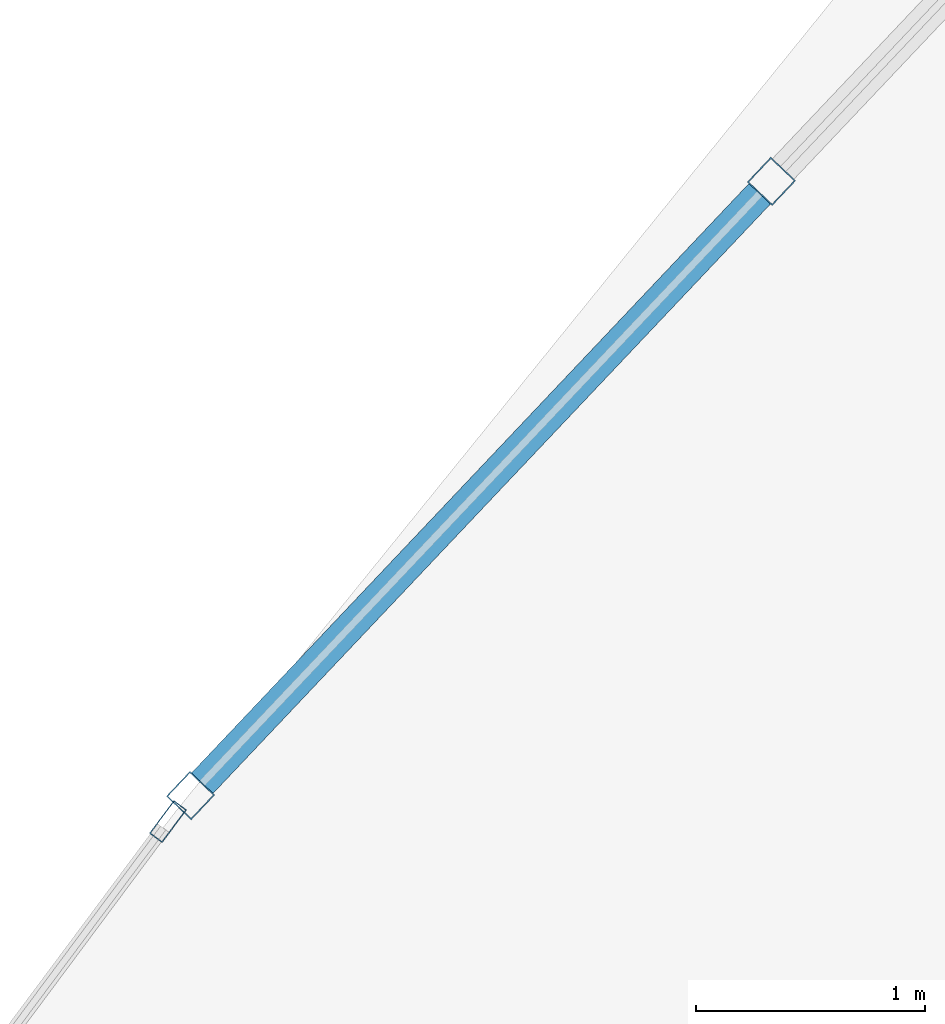
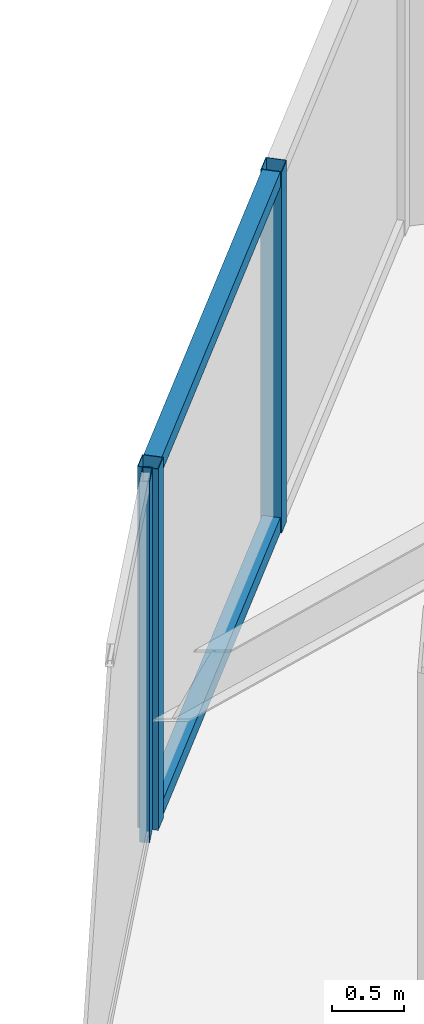
# One storey, part 19 of 31: 5 members, 2 elements without a shape of their own.
"""IFC4 building model written with IfcOpenShell, lengths in metres."""

from ifc_helpers import new_model, si_unit, direction, frame, origin, origin_2d, place, context, subcontext, project, spatial, hollow_rectangle, extrude, material, layer, layer_set, material_profile, profile_set, type_object, element, aggregate, save


model = new_model("IFC4")

# Units and contexts
model_context = context("Model", 3, precision=1e-05, world=origin(), true_north=direction((0.0, 1.0)))
body_context = subcontext(model_context, "Body", "Model", "MODEL_VIEW")
ifc_project = project(units=[si_unit("LENGTHUNIT", "METRE"), si_unit("AREAUNIT", "SQUARE_METRE"), si_unit("VOLUMEUNIT", "CUBIC_METRE"), si_unit("PLANEANGLEUNIT", "RADIAN"), si_unit("MASSUNIT", "GRAM", prefix="KILO")], contexts=[model_context])

# Site, building, storey
site_placement = place(None, origin())
site = spatial("IfcSite", under=ifc_project, at=site_placement, CompositionType="ELEMENT")
building_placement = place(site_placement, origin())
building = spatial("IfcBuilding", under=site, at=building_placement, Name="Orvanel Arch Residences", CompositionType="ELEMENT")
storey_placement = place(building_placement, frame((0.0, 0.0, 113.300048828125)))
storey = spatial("IfcBuildingStorey", under=building, at=storey_placement, Name="L31", CompositionType="ELEMENT", Elevation=113.300048828125)

# Curtain wall, members
ifc_material = material(Name="Bronze-anodised aluminium AA6063-T6", Category="aluminium")
ifc_layer_1 = layer(ifc_material, 0.18994140625)
ifc_layer_set_1 = layer_set([ifc_layer_1], Name="Bronze-anodised aluminium AA6063-T6")
curtain_wall_type_1 = type_object("IfcCurtainWallType", Name="CW5-CRN-SYS", PredefinedType="NOTDEFINED", material=ifc_layer_set_1)
curtain_wall_1_placement = place(storey_placement, origin())
curtain_wall_1 = element("IfcCurtainWall", 1, at=curtain_wall_1_placement, inside=storey, type_object=curtain_wall_type_1, Name="L31 CW5-CRN-SYS Unitised Curtain Wall", PredefinedType="NOTDEFINED")
ifc_material_profile_1 = material_profile(ifc_material, hollow_rectangle(XDim=0.14990234375, YDim=0.14990234375, WallThickness=0.0048828125, at=origin_2d()), Name="ALU150x150x5")
ifc_profile_set_1 = profile_set([ifc_material_profile_1], Name="Bronze-anodised aluminium AA6063-T6")
member_type_1 = type_object("IfcMemberType", Name="MUL-150x150", PredefinedType="MULLION", material=ifc_profile_set_1)
member_1_placement = place(storey_placement, frame((29.638916015625, 46.780517578125, 0.0), z_axis=(0.0, 0.0, 1.0), x_axis=(0.7265167041, -0.687148803873, 0.0)))
member_1 = element("IfcMember", 2, at=member_1_placement, type_object=member_type_1, Name="CW-S5 mullion 2", PredefinedType="MULLION", context=body_context, shape_type="SweptSolid", body=[
    extrude(hollow_rectangle(XDim=0.14990234375, YDim=0.14990234375, WallThickness=0.0048828125, at=origin_2d()), origin(), (0.0, 0.0, 1.0), 3.06005859375),
])
member_2_placement = place(storey_placement, frame((27.0986328125, 44.094482421875, 0.0), z_axis=(0.0, 0.0, 1.0), x_axis=(0.7265167041, -0.687148803873, 0.0)))
member_2 = element("IfcMember", 3, at=member_2_placement, type_object=member_type_1, Name="CW-S5 mullion 3", PredefinedType="MULLION", context=body_context, shape_type="SweptSolid", body=[
    extrude(hollow_rectangle(XDim=0.14990234375, YDim=0.14990234375, WallThickness=0.0048828125, at=origin_2d()), origin(), (0.0, 0.0, 1.0), 3.06005859375),
])

# Curtain wall, member
ifc_layer_2 = layer(ifc_material, 0.179931640625)
ifc_layer_set_2 = layer_set([ifc_layer_2], Name="Bronze-anodised aluminium AA6063-T6")
curtain_wall_type_2 = type_object("IfcCurtainWallType", Name="CW3-MID-SYS", PredefinedType="NOTDEFINED", material=ifc_layer_set_2)
curtain_wall_2_placement = place(storey_placement, origin())
curtain_wall_2 = element("IfcCurtainWall", 4, at=curtain_wall_2_placement, inside=storey, type_object=curtain_wall_type_2, Name="L31 CW3-MID-SYS Unitised Curtain Wall", PredefinedType="NOTDEFINED")
ifc_material_profile_2 = material_profile(ifc_material, hollow_rectangle(XDim=0.070068359375, YDim=0.179931640625, WallThickness=0.00439453125, at=origin_2d()), Name="ALU180x70x4.5")
ifc_profile_set_2 = profile_set([ifc_material_profile_2], Name="Bronze-anodised aluminium AA6063-T6")
member_type_2 = type_object("IfcMemberType", Name="MUL-180x70", PredefinedType="MULLION", material=ifc_profile_set_2)
member_3_placement = place(storey_placement, frame((27.0, 43.98095703125, 0.0), z_axis=(0.0, 0.0, 1.0), x_axis=(0.802267592094, -0.596964580755, 0.0)))
member_3 = element("IfcMember", 5, at=member_3_placement, type_object=member_type_2, Name="CW-S3 mullion 1", PredefinedType="MULLION", context=body_context, shape_type="SweptSolid", body=[
    extrude(hollow_rectangle(XDim=0.070068359375, YDim=0.179931640625, WallThickness=0.00439453125, at=origin_2d()), origin(), (0.0, 0.0, 1.0), 3.06005859375),
])
aggregate(curtain_wall_2, [member_3])

# Member
ifc_material_profile_3 = material_profile(ifc_material, hollow_rectangle(XDim=0.1298828125, YDim=0.1298828125, WallThickness=0.00439453125, at=origin_2d()), Name="ALU130x130x4.5")
ifc_profile_set_3 = profile_set([ifc_material_profile_3], Name="Bronze-anodised aluminium AA6063-T6")
member_type_3 = type_object("IfcMemberType", Name="TRN-130x130", PredefinedType="USERDEFINED", material=ifc_profile_set_3)
member_4_placement = place(storey_placement, frame((29.58740234375, 46.72607421875, 0.06494140625), z_axis=(-0.687112473638, -0.726551063981, 0.0), x_axis=(0.726551063981, -0.687112473638, 0.0)))
member_4 = element("IfcMember", 6, at=member_4_placement, type_object=member_type_3, Name="CW-S5 transom 2.1", ObjectType="TRANSOM", PredefinedType="USERDEFINED", context=body_context, shape_type="SweptSolid", body=[
    extrude(hollow_rectangle(XDim=0.1298828125, YDim=0.1298828125, WallThickness=0.00439453125, at=origin_2d()), origin(), (0.0, 0.0, 1.0), 3.547119140625),
])

member_5_placement = place(storey_placement, frame((29.58740234375, 46.72607421875, 2.994873046875), z_axis=(-0.687112473638, -0.726551063981, 0.0), x_axis=(0.726551063981, -0.687112473638, 0.0)))
member_5 = element("IfcMember", 7, at=member_5_placement, type_object=member_type_3, Name="CW-S5 transom 2.2", ObjectType="TRANSOM", PredefinedType="USERDEFINED", context=body_context, shape_type="SweptSolid", body=[
    extrude(hollow_rectangle(XDim=0.1298828125, YDim=0.1298828125, WallThickness=0.00439453125, at=origin_2d()), origin(), (0.0, 0.0, 1.0), 3.547119140625),
])

aggregate(curtain_wall_1, [member_1, member_2, member_4, member_5])

save(model, "model.ifc")
